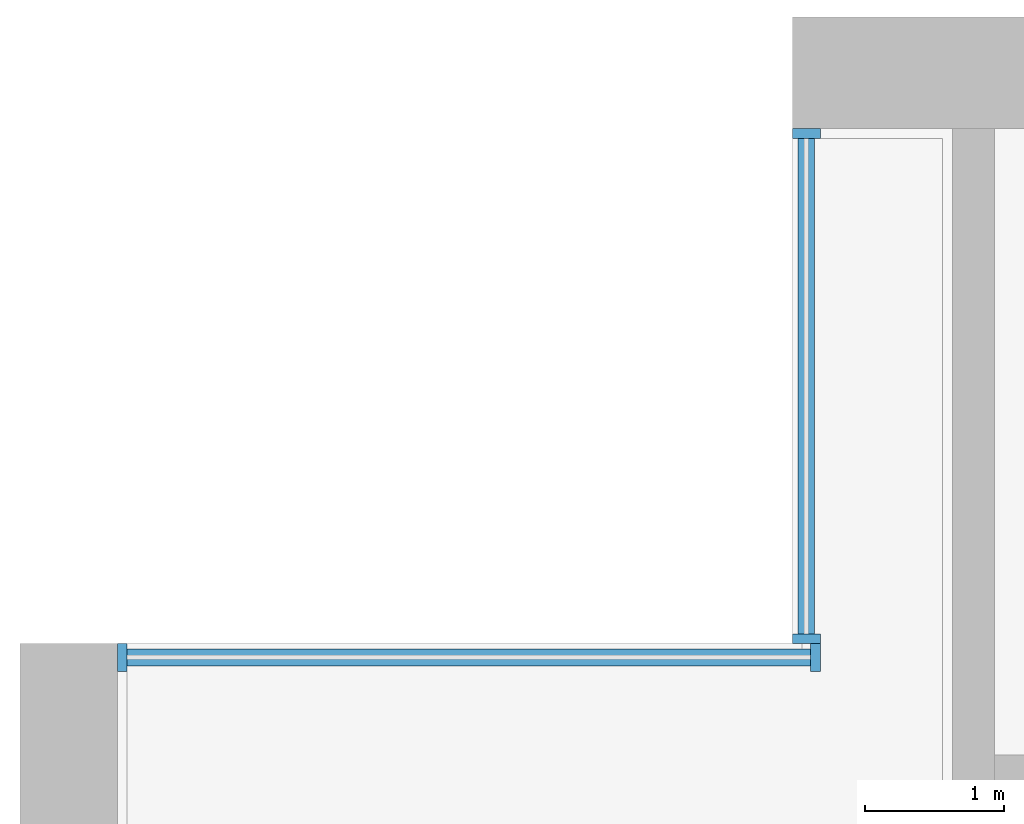
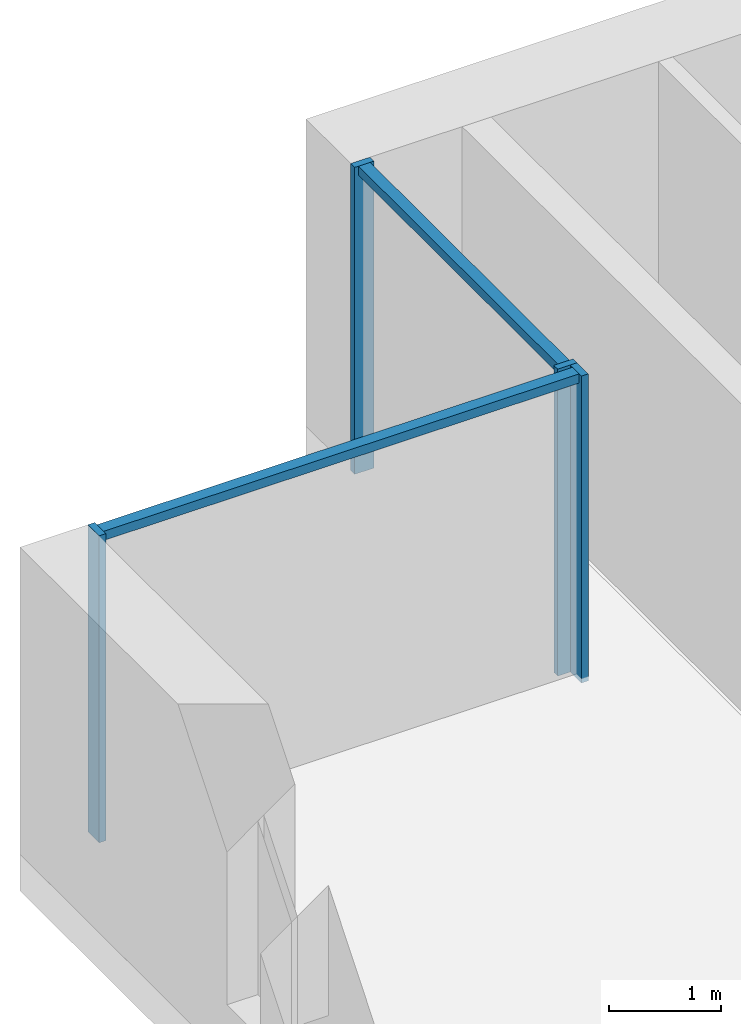
# One storey, part 4 of 15: 6 members, 2 elements without a shape of their own.
"""IFC4 building model written with IfcOpenShell, lengths in metres."""

from ifc_helpers import new_model, si_unit, direction, frame, origin, origin_2d, place, context, subcontext, project, spatial, rectangle, extrude, material, material_profile, profile_set, type_object, element, aggregate, save


model = new_model("IFC4")

# Units and contexts
model_context = context("Model", 3, precision=1e-05, world=origin(), true_north=direction((0.0, 1.0)))
body_context = subcontext(model_context, "Body", "Model", "MODEL_VIEW")
ifc_project = project(units=[si_unit("LENGTHUNIT", "METRE"), si_unit("AREAUNIT", "SQUARE_METRE"), si_unit("VOLUMEUNIT", "CUBIC_METRE"), si_unit("PLANEANGLEUNIT", "RADIAN"), si_unit("MASSUNIT", "GRAM", prefix="KILO")], contexts=[model_context])

# Site, building, storey
site_placement = place(None, origin())
site = spatial("IfcSite", under=ifc_project, at=site_placement, CompositionType="ELEMENT")
building_placement = place(site_placement, origin())
building = spatial("IfcBuilding", under=site, at=building_placement, Name="Calvaro Tower", CompositionType="ELEMENT")
storey_placement = place(building_placement, frame((0.0, 0.0, 128.75)))
storey = spatial("IfcBuildingStorey", under=building, at=storey_placement, Name="L32", CompositionType="ELEMENT", Elevation=128.75)

# Curtain wall, members
ifc_material_1 = material(Name="Anodised aluminium", Category="aluminium")
curtain_wall_type = type_object("IfcCurtainWallType", Name="Office curtain wall, middle zone", PredefinedType="NOTDEFINED", material=ifc_material_1)
curtain_wall_1_placement = place(storey_placement, origin())
curtain_wall_1 = element("IfcCurtainWall", 1, at=curtain_wall_1_placement, inside=storey, type_object=curtain_wall_type, Name="CW2 corner curtain wall", PredefinedType="NOTDEFINED")
ifc_material_2 = material(Name="Anodised aluminium", Category="aluminium")
ifc_material_profile_1 = material_profile(ifc_material_2, rectangle(XDim=0.199951171875, YDim=0.070068359375, at=origin_2d()), Name="Mullion S2 70 x 200")
ifc_profile_set_1 = profile_set([ifc_material_profile_1], Name="Anodised aluminium")
member_type_1 = type_object("IfcMemberType", Name="Mullion S2 70 x 200", PredefinedType="MULLION", material=ifc_profile_set_1)
member_1_placement = place(storey_placement, frame((5.64990234375, 41.534912109375, 0.0), z_axis=(0.0, 0.0, 1.0), x_axis=(-1.0, 0.0, 0.0)))
member_1 = element("IfcMember", 2, at=member_1_placement, type_object=member_type_1, Name="CW2 mullion 1", PredefinedType="MULLION", context=body_context, shape_type="SweptSolid", body=[
    extrude(rectangle(XDim=0.199951171875, YDim=0.070068359375, at=origin_2d()), origin(), (0.0, 0.0, 1.0), 3.35009765625),
])
member_2_placement = place(storey_placement, frame((5.64990234375, 45.1650390625, 0.0), z_axis=(0.0, 0.0, 1.0), x_axis=(-1.0, 0.0, 0.0)))
member_2 = element("IfcMember", 3, at=member_2_placement, type_object=member_type_1, Name="CW2 mullion 2", PredefinedType="MULLION", context=body_context, shape_type="SweptSolid", body=[
    extrude(rectangle(XDim=0.199951171875, YDim=0.070068359375, at=origin_2d()), origin(), (0.0, 0.0, 1.0), 3.35009765625),
])

curtain_wall_2_placement = place(storey_placement, origin())
curtain_wall_2 = element("IfcCurtainWall", 4, at=curtain_wall_2_placement, inside=storey, type_object=curtain_wall_type, Name="CW2 corner curtain wall", PredefinedType="NOTDEFINED")
member_3_placement = place(storey_placement, frame((0.735107421875, 41.39990234375, 0.0), z_axis=(0.0, 0.0, 1.0), x_axis=(0.0, 1.0, 0.0)))
member_3 = element("IfcMember", 5, at=member_3_placement, type_object=member_type_1, Name="CW2 mullion 1", PredefinedType="MULLION", context=body_context, shape_type="SweptSolid", body=[
    extrude(rectangle(XDim=0.199951171875, YDim=0.070068359375, at=origin_2d()), origin(), (0.0, 0.0, 1.0), 3.35009765625),
])
member_4_placement = place(storey_placement, frame((5.715087890625, 41.39990234375, 0.0), z_axis=(0.0, 0.0, 1.0), x_axis=(0.0, 1.0, 0.0)))
member_4 = element("IfcMember", 6, at=member_4_placement, type_object=member_type_1, Name="CW2 mullion 2", PredefinedType="MULLION", context=body_context, shape_type="SweptSolid", body=[
    extrude(rectangle(XDim=0.199951171875, YDim=0.070068359375, at=origin_2d()), origin(), (0.0, 0.0, 1.0), 3.35009765625),
])

# Member
ifc_material_3 = material(Name="Anodised aluminium", Category="aluminium")
ifc_material_profile_2 = material_profile(ifc_material_3, rectangle(XDim=0.1201171875, YDim=0.10009765625, at=origin_2d()), Name="Transom S2 100 x 120")
ifc_profile_set_2 = profile_set([ifc_material_profile_2], Name="Anodised aluminium")
member_type_2 = type_object("IfcMemberType", Name="Transom S2 100 x 120", PredefinedType="USERDEFINED", material=ifc_profile_set_2)
member_5_placement = place(storey_placement, frame((5.64990234375, 41.570068359375, 3.300048828125), z_axis=(0.0, 1.0, 0.0), x_axis=(-1.0, 0.0, 0.0)))
member_5 = element("IfcMember", 7, at=member_5_placement, type_object=member_type_2, Name="CW2 transom 1.1", ObjectType="TRANSOM", PredefinedType="USERDEFINED", context=body_context, shape_type="SweptSolid", body=[
    extrude(rectangle(XDim=0.1201171875, YDim=0.10009765625, at=origin_2d()), origin(), (0.0, 0.0, 1.0), 3.559814453125),
])

aggregate(curtain_wall_1, [member_1, member_2, member_5])

member_6_placement = place(storey_placement, frame((0.77001953125, 41.39990234375, 3.300048828125), z_axis=(1.0, 0.0, 0.0), x_axis=(0.0, 1.0, 0.0)))
member_6 = element("IfcMember", 8, at=member_6_placement, type_object=member_type_2, Name="CW2 transom 1.1", ObjectType="TRANSOM", PredefinedType="USERDEFINED", context=body_context, shape_type="SweptSolid", body=[
    extrude(rectangle(XDim=0.1201171875, YDim=0.10009765625, at=origin_2d()), origin(), (0.0, 0.0, 1.0), 4.909912109375),
])

aggregate(curtain_wall_2, [member_3, member_4, member_6])

save(model, "model.ifc")
